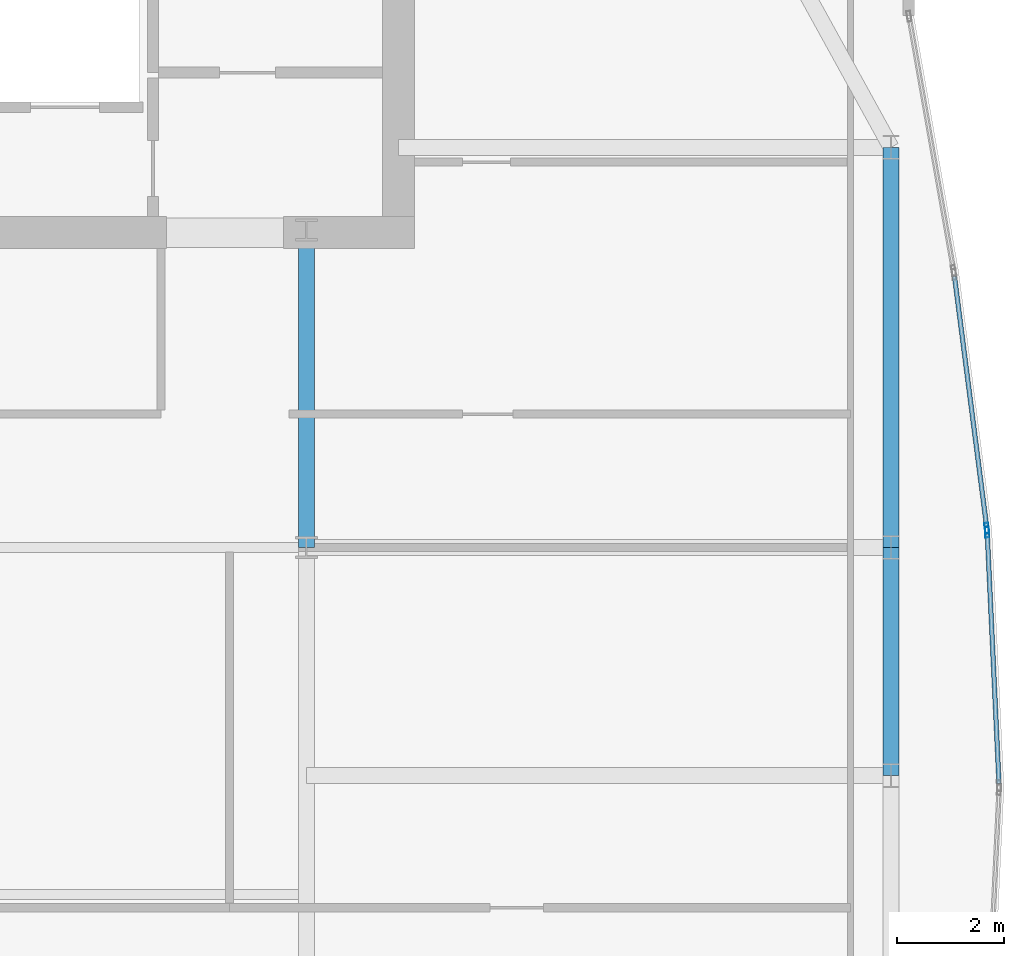
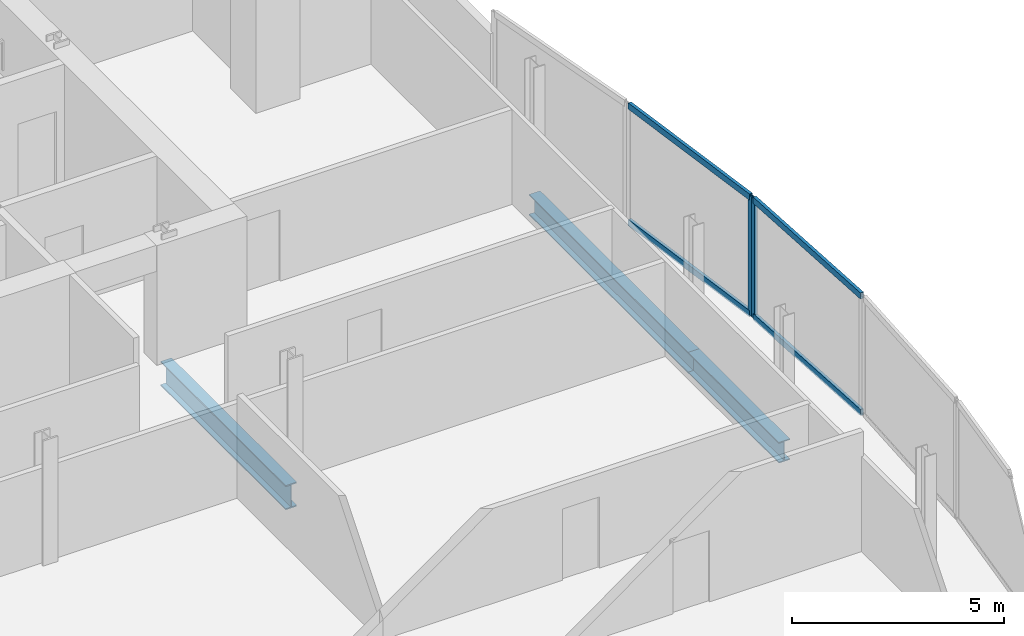
# One storey, part 19 of 30: 6 members, 3 beams, 2 elements without a shape of their own.
"""IFC4 building model written with IfcOpenShell, lengths in metres."""

from ifc_helpers import new_model, si_unit, direction, frame, origin, origin_2d, place, context, subcontext, project, spatial, hollow_rectangle, i_section, extrude, material, material_profile, profile_set, type_object, element, aggregate, save


model = new_model("IFC4")

# Units and contexts
model_context = context("Model", 3, precision=1e-05, world=origin(), true_north=direction((0.0, 1.0)))
body_context = subcontext(model_context, "Body", "Model", "MODEL_VIEW")
ifc_project = project(units=[si_unit("LENGTHUNIT", "METRE"), si_unit("AREAUNIT", "SQUARE_METRE"), si_unit("VOLUMEUNIT", "CUBIC_METRE"), si_unit("PLANEANGLEUNIT", "RADIAN"), si_unit("MASSUNIT", "GRAM", prefix="KILO")], contexts=[model_context])

# Site, building, storey
site_placement = place(None, origin())
site = spatial("IfcSite", under=ifc_project, at=site_placement, CompositionType="ELEMENT")
building_placement = place(site_placement, origin())
building = spatial("IfcBuilding", under=site, at=building_placement, Name="Khoronbel Lancet Exchange", CompositionType="ELEMENT")
storey_placement = place(building_placement, frame((0.0, 0.0, 203.0)))
storey = spatial("IfcBuildingStorey", under=building, at=storey_placement, Name="L51", CompositionType="ELEMENT", Elevation=203.0)

# Beams
ifc_material_1 = material(Name="Steel S355", Category="steel")
ifc_material_profile_1 = material_profile(ifc_material_1, i_section(OverallWidth=0.300048828125, OverallDepth=0.699951171875, WebThickness=0.01708984375, FlangeThickness=0.031982421875, at=origin_2d()), Name="HEB 700")
ifc_profile_set_1 = profile_set([ifc_material_profile_1], Name="Steel S355")
beam_type_1 = type_object("IfcBeamType", Name="BM-BG3", PredefinedType="BEAM", material=ifc_profile_set_1)
beam_1_placement = place(storey_placement, frame((54.675048828125, 35.699951171875, -0.510009765625), z_axis=(0.0, 1.0, 0.0), x_axis=(-1.0, 0.0, 0.0)))
element("IfcBeam", 1, at=beam_1_placement, inside=storey, type_object=beam_type_1, Name="Level L51 spine tie girder GN6", PredefinedType="BEAM", context=body_context, shape_type="SweptSolid", body=[
    extrude(i_section(OverallWidth=0.300048828125, OverallDepth=0.699951171875, WebThickness=0.01708984375, FlangeThickness=0.031982421875, at=origin_2d()), origin(), (0.0, 0.0, 1.0), 5.900146484375),
])
ifc_material_profile_2 = material_profile(ifc_material_1, i_section(OverallWidth=0.300048828125, OverallDepth=0.60009765625, WebThickness=0.015380859375, FlangeThickness=0.030029296875, at=origin_2d()), Name="HEB 600")
ifc_profile_set_2 = profile_set([ifc_material_profile_2], Name="Steel S355")
beam_type_2 = type_object("IfcBeamType", Name="BM-BSP2", PredefinedType="SPANDREL", material=ifc_profile_set_2)
beam_2_placement = place(storey_placement, frame((65.6298828125, 31.425048828125, -0.4599609375), z_axis=(0.0, 1.0, 0.0), x_axis=(-1.0, 0.0, 0.0)))
element("IfcBeam", 2, at=beam_2_placement, inside=storey, type_object=beam_type_2, Name="Level L51 perimeter spandrel beam SP13", PredefinedType="SPANDREL", context=body_context, shape_type="SweptSolid", body=[
    extrude(i_section(OverallWidth=0.300048828125, OverallDepth=0.60009765625, WebThickness=0.015380859375, FlangeThickness=0.030029296875, at=origin_2d()), origin(), (0.0, 0.0, 1.0), 4.27490234375),
])
beam_3_placement = place(storey_placement, frame((65.6298828125, 35.699951171875, -0.4599609375), z_axis=(0.0, 1.0, 0.0), x_axis=(-1.0, 0.0, 0.0)))
element("IfcBeam", 3, at=beam_3_placement, inside=storey, type_object=beam_type_2, Name="Level L51 perimeter spandrel beam SP14", PredefinedType="SPANDREL", context=body_context, shape_type="SweptSolid", body=[
    extrude(i_section(OverallWidth=0.300048828125, OverallDepth=0.60009765625, WebThickness=0.015380859375, FlangeThickness=0.030029296875, at=origin_2d()), origin(), (0.0, 0.0, 1.0), 7.5),
])

# Curtain wall, member
ifc_material_2 = material(Name="Low-E Solar Control Insulating Glass", Category="glass")
curtain_wall_type = type_object("IfcCurtainWallType", Name="CW-4", PredefinedType="NOTDEFINED", material=ifc_material_2)
curtain_wall_1_placement = place(storey_placement, origin())
curtain_wall_1 = element("IfcCurtainWall", 4, at=curtain_wall_1_placement, inside=storey, type_object=curtain_wall_type, Name="Unitised curtain wall CW-L51-E18", PredefinedType="NOTDEFINED")
ifc_material_3 = material(Name="Bronze-Anodised Aluminium 6063-T6", Category="aluminium")
ifc_material_profile_3 = material_profile(ifc_material_3, hollow_rectangle(XDim=0.074951171875, YDim=0.199951171875, WallThickness=0.0048828125, at=origin_2d()), Name="ALU MULLION 75x200")
ifc_profile_set_3 = profile_set([ifc_material_profile_3], Name="Bronze-Anodised Aluminium 6063-T6")
member_type_1 = type_object("IfcMemberType", Name="MEM-CWM2", PredefinedType="MULLION", material=ifc_profile_set_3)
member_1_placement = place(storey_placement, frame((67.4248046875, 36.0625, 0.0), z_axis=(0.0, 0.0, 1.0), x_axis=(0.991846611095, 0.127437435866, 0.0)))
member_1 = element("IfcMember", 5, at=member_1_placement, type_object=member_type_1, Name="CW4 mullion 2", PredefinedType="MULLION", context=body_context, shape_type="SweptSolid", body=[
    extrude(hollow_rectangle(XDim=0.074951171875, YDim=0.199951171875, WallThickness=0.0048828125, at=origin_2d()), origin(), (0.0, 0.0, 1.0), 3.43994140625),
])

curtain_wall_2_placement = place(storey_placement, origin())
curtain_wall_2 = element("IfcCurtainWall", 6, at=curtain_wall_2_placement, inside=storey, type_object=curtain_wall_type, Name="Unitised curtain wall CW-L51-E19", PredefinedType="NOTDEFINED")
member_2_placement = place(storey_placement, frame((67.431396484375, 35.988037109375, 0.0), z_axis=(0.0, 0.0, 1.0), x_axis=(0.998896295296, 0.046970110118, 0.0)))
member_2 = element("IfcMember", 7, at=member_2_placement, type_object=member_type_1, Name="CW4 mullion 1", PredefinedType="MULLION", context=body_context, shape_type="SweptSolid", body=[
    extrude(hollow_rectangle(XDim=0.074951171875, YDim=0.199951171875, WallThickness=0.0048828125, at=origin_2d()), origin(), (0.0, 0.0, 1.0), 3.43994140625),
])

# Member
ifc_material_profile_4 = material_profile(ifc_material_3, hollow_rectangle(XDim=0.0849609375, YDim=0.179931640625, WallThickness=0.0048828125, at=origin_2d()), Name="ALU TRANSOM 85x180")
ifc_profile_set_4 = profile_set([ifc_material_profile_4], Name="Bronze-Anodised Aluminium 6063-T6")
member_type_2 = type_object("IfcMemberType", Name="MEM-CWT1", PredefinedType="USERDEFINED", material=ifc_profile_set_4)
member_3_placement = place(storey_placement, frame((66.81884765625, 40.77880859375, 0.04248046875), z_axis=(0.127416282155, -0.9918493288, 0.0), x_axis=(0.9918493288, 0.127416282155, 0.0)))
member_3 = element("IfcMember", 8, at=member_3_placement, type_object=member_type_2, Name="CW4 transom 1.1", ObjectType="TRANSOM", PredefinedType="USERDEFINED", context=body_context, shape_type="SweptSolid", body=[
    extrude(hollow_rectangle(XDim=0.0849609375, YDim=0.179931640625, WallThickness=0.0048828125, at=origin_2d()), origin(), (0.0, 0.0, 1.0), 4.71728515625),
])

member_4_placement = place(storey_placement, frame((66.81884765625, 40.77880859375, 3.3974609375), z_axis=(0.127416282155, -0.9918493288, 0.0), x_axis=(0.9918493288, 0.127416282155, 0.0)))
member_4 = element("IfcMember", 9, at=member_4_placement, type_object=member_type_2, Name="CW4 transom 1.2", ObjectType="TRANSOM", PredefinedType="USERDEFINED", context=body_context, shape_type="SweptSolid", body=[
    extrude(hollow_rectangle(XDim=0.0849609375, YDim=0.179931640625, WallThickness=0.0048828125, at=origin_2d()), origin(), (0.0, 0.0, 1.0), 4.71728515625),
])

aggregate(curtain_wall_1, [member_1, member_3, member_4])

member_5_placement = place(storey_placement, frame((67.43310546875, 35.950439453125, 0.04248046875), z_axis=(0.046995169969, -0.998895116616, 0.0), x_axis=(0.998895116616, 0.046995169969, 0.0)))
member_5 = element("IfcMember", 10, at=member_5_placement, type_object=member_type_2, Name="CW4 transom 1.1", ObjectType="TRANSOM", PredefinedType="USERDEFINED", context=body_context, shape_type="SweptSolid", body=[
    extrude(hollow_rectangle(XDim=0.0849609375, YDim=0.179931640625, WallThickness=0.0048828125, at=origin_2d()), origin(), (0.0, 0.0, 1.0), 4.6806640625),
])

member_6_placement = place(storey_placement, frame((67.43310546875, 35.950439453125, 3.3974609375), z_axis=(0.046995169969, -0.998895116616, 0.0), x_axis=(0.998895116616, 0.046995169969, 0.0)))
member_6 = element("IfcMember", 11, at=member_6_placement, type_object=member_type_2, Name="CW4 transom 1.2", ObjectType="TRANSOM", PredefinedType="USERDEFINED", context=body_context, shape_type="SweptSolid", body=[
    extrude(hollow_rectangle(XDim=0.0849609375, YDim=0.179931640625, WallThickness=0.0048828125, at=origin_2d()), origin(), (0.0, 0.0, 1.0), 4.6806640625),
])

aggregate(curtain_wall_2, [member_2, member_5, member_6])

save(model, "model.ifc")
